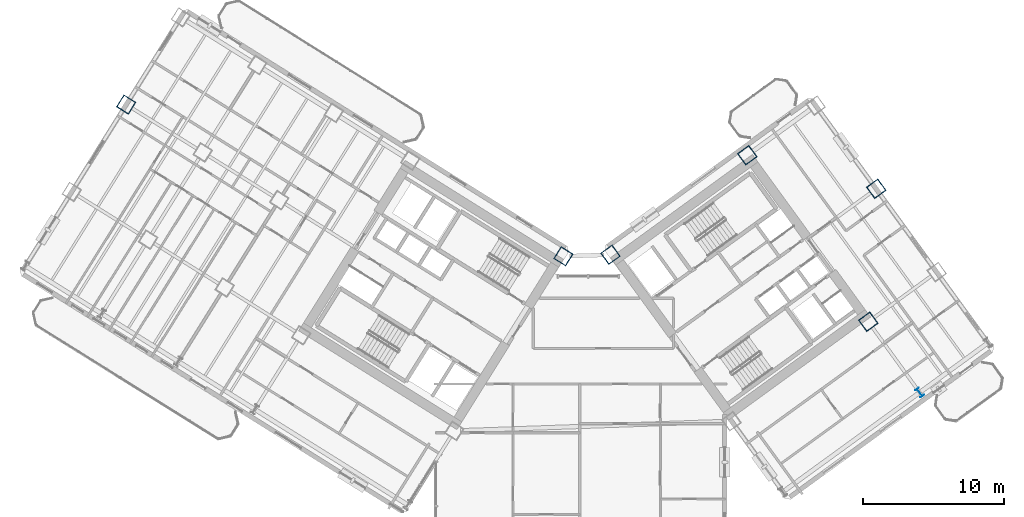
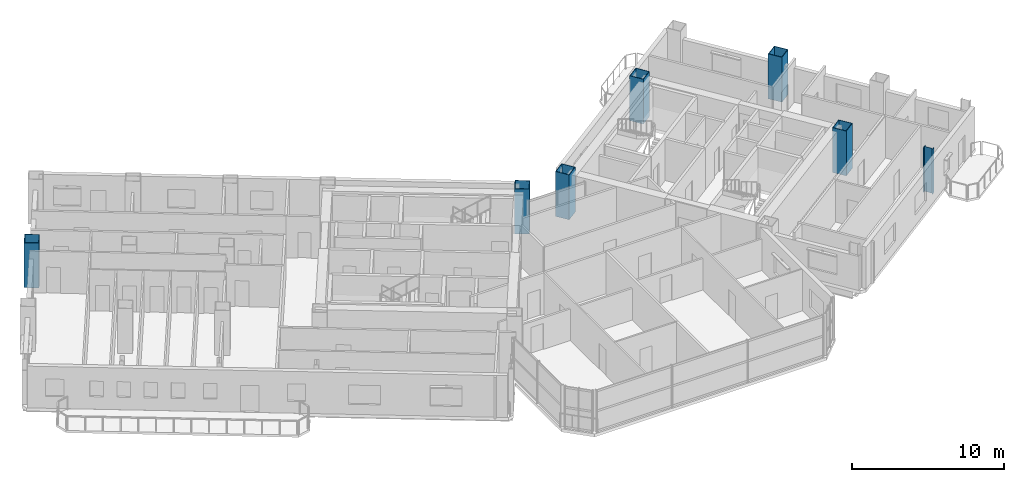
# One storey, part 2 of 24: 7 columns.
"""IFC4 building model written with IfcOpenShell, lengths in metres."""

from ifc_helpers import new_model, si_unit, direction, frame, origin, origin_2d, place, context, subcontext, project, spatial, hollow_rectangle, i_section, extrude, source, transform, mapped, material, material_profile, profile_set, type_object, element, save


model = new_model("IFC4")

# Units and contexts
model_context = context("Model", 3, precision=1e-05, world=origin(), true_north=direction((0.0, 1.0)))
body_context = subcontext(model_context, "Body", "Model", "MODEL_VIEW")
ifc_project = project(units=[si_unit("LENGTHUNIT", "METRE"), si_unit("AREAUNIT", "SQUARE_METRE"), si_unit("VOLUMEUNIT", "CUBIC_METRE"), si_unit("PLANEANGLEUNIT", "RADIAN"), si_unit("MASSUNIT", "GRAM", prefix="KILO")], contexts=[model_context])

# Site, building, storey
site_placement = place(None, origin())
site = spatial("IfcSite", under=ifc_project, at=site_placement, CompositionType="ELEMENT")
building_placement = place(site_placement, origin())
building = spatial("IfcBuilding", under=site, at=building_placement, Name="Tlacorven Tower", CompositionType="ELEMENT")
storey_placement = place(building_placement, frame((0.0, 0.0, 31.199951171875)))
storey = spatial("IfcBuildingStorey", under=building, at=storey_placement, Name="L07", CompositionType="ELEMENT", Elevation=31.199951171875)

# Columns
ifc_material = material(Name="Steel S460M", Category="steel")
ifc_material_profile_1 = material_profile(ifc_material, hollow_rectangle(XDim=1.0, YDim=1.0, WallThickness=0.0400390625, at=origin_2d()), Name="BOX 1000X1000X40")
ifc_profile_set_1 = profile_set([ifc_material_profile_1], Name="Steel S460M")
column_type_1 = type_object("IfcColumnType", Name="COL-TWR-S1", PredefinedType="COLUMN", material=ifc_profile_set_1)
shared_shape_1 = source(origin(), body_context, "Body", "SweptSolid", [
    extrude(hollow_rectangle(XDim=1.0, YDim=1.0, WallThickness=0.0400390625, at=origin_2d()), origin(), (0.0, 0.0, 1.0), 3.60009765625),
])
for number, where, z_axis, x_axis, name in (
    (1, (40.782958984375, 24.468505859375, 0.0), (0.0, 0.0, 1.0), (-0.848048096156, 0.529919264233, 0.0), "L07 column COL-L07-W1-1"),
    (2, (9.777099609375, 35.235107421875, 0.0), (0.0, 0.0, 1.0), (-0.848048096156, 0.529919264233, 0.0), "L07 column COL-L07-W6-2"),
    (3, (44.123779296875, 24.5849609375, 0.0), (0.0, 0.0, 1.0), (0.809016994375, 0.587785252292, 0.0), "L07 column COL-L07-E1-4"),
    (4, (62.41357421875, 19.826904296875, 0.0), (0.0, 0.0, 1.0), (0.809016994375, 0.587785252292, 0.0), "L07 column COL-L07-E3-2"),
    (5, (53.83203125, 31.638427734375, 0.0), (0.0, 0.0, 1.0), (0.809016994375, 0.587785252292, 0.0), "L07 column COL-L07-E3-4"),
    (6, (62.976806640625, 29.25927734375, 0.0), (0.0, 0.0, 1.0), (0.809016994375, 0.587785252292, 0.0), "L07 column COL-L07-E4-3"),
):
    element("IfcColumn", number, at=place(storey_placement, frame(where, z_axis=z_axis, x_axis=x_axis)), inside=storey, type_object=column_type_1, Name=name, PredefinedType="COLUMN", context=body_context, shape_type="MappedRepresentation", body=[
        mapped(shared_shape_1, transform((0.0, 0.0, 0.0), scale=1.0)),
    ])
ifc_material_profile_2 = material_profile(ifc_material, i_section(OverallWidth=0.300048828125, OverallDepth=0.64990234375, WebThickness=0.01611328125, FlangeThickness=0.031005859375, at=origin_2d()), Name="HEB 650")
ifc_profile_set_2 = profile_set([ifc_material_profile_2], Name="Steel S460M")
column_type_2 = type_object("IfcColumnType", Name="COL-TWR-P1", PredefinedType="COLUMN", material=ifc_profile_set_2)
shared_shape_2 = source(origin(), body_context, "Body", "SweptSolid", [
    extrude(i_section(OverallWidth=0.300048828125, OverallDepth=0.64990234375, WebThickness=0.01611328125, FlangeThickness=0.031005859375, at=origin_2d()), origin(), (0.0, 0.0, 1.0), 3.60009765625),
])
column_placement = place(storey_placement, frame((66.057861328125, 14.81103515625, 0.0), z_axis=(0.0, 0.0, 1.0), x_axis=(0.809016994375, 0.587785252292, 0.0)))
element("IfcColumn", 7, at=column_placement, inside=storey, type_object=column_type_2, Name="L07 column COL-L07-E3-1", PredefinedType="COLUMN", context=body_context, shape_type="MappedRepresentation", body=[
    mapped(shared_shape_2, transform((0.0, 0.0, 0.0), scale=1.0)),
])

save(model, "model.ifc")
